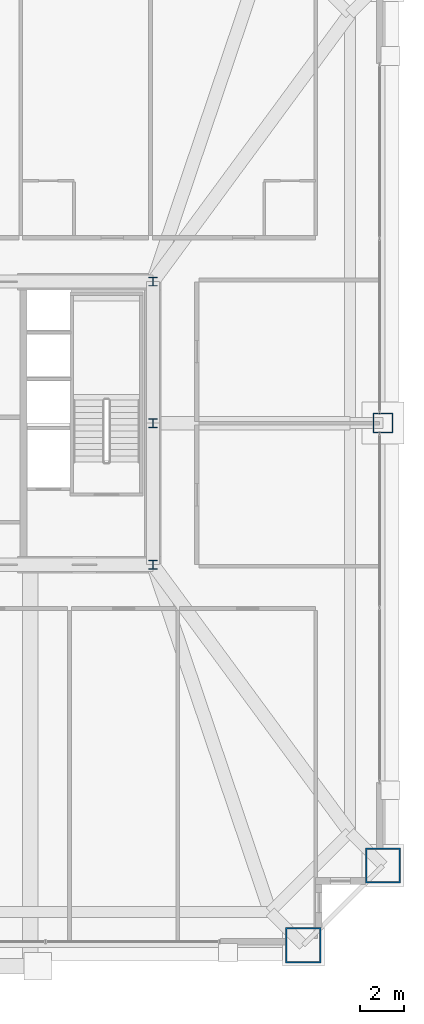
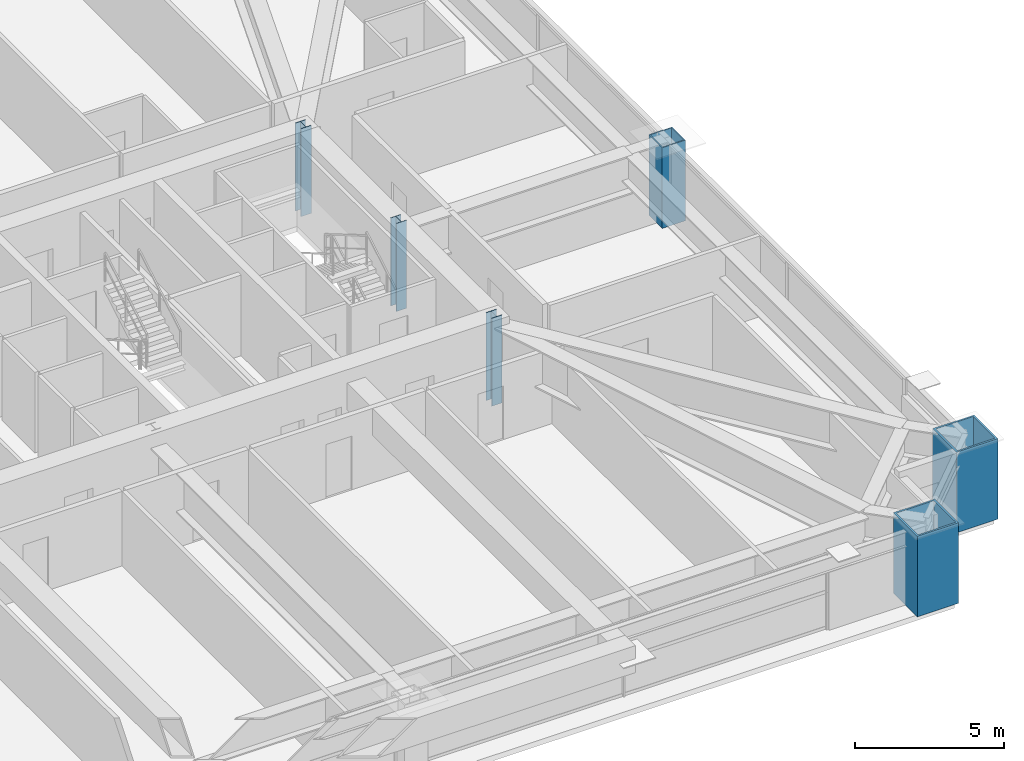
# One storey, part 2 of 45: 6 columns.
"""IFC4 building model written with IfcOpenShell, lengths in metres."""

from ifc_helpers import new_model, si_unit, direction, frame, origin, origin_2d, place, context, subcontext, project, spatial, hollow_rectangle, i_section, extrude, source, transform, mapped, material, material_profile, profile_set, type_object, element, save


model = new_model("IFC4")

# Units and contexts
model_context = context("Model", 3, precision=1e-05, world=origin(), true_north=direction((0.0, 1.0)))
body_context = subcontext(model_context, "Body", "Model", "MODEL_VIEW")
ifc_project = project(units=[si_unit("LENGTHUNIT", "METRE"), si_unit("AREAUNIT", "SQUARE_METRE"), si_unit("VOLUMEUNIT", "CUBIC_METRE"), si_unit("PLANEANGLEUNIT", "RADIAN"), si_unit("MASSUNIT", "GRAM", prefix="KILO"), si_unit("THERMODYNAMICTEMPERATUREUNIT", "KELVIN"), si_unit("POWERUNIT", "WATT")], contexts=[model_context])

# Site, building, storey
site_placement = place(None, origin())
site = spatial("IfcSite", under=ifc_project, at=site_placement, CompositionType="ELEMENT")
building_placement = place(site_placement, origin())
building = spatial("IfcBuilding", under=site, at=building_placement, Name="Yuzanri Waterfront Tower", CompositionType="ELEMENT")
storey_placement = place(building_placement, frame((0.0, 0.0, 163.199951171875)))
storey = spatial("IfcBuildingStorey", under=building, at=storey_placement, Name="L43", CompositionType="ELEMENT", Elevation=163.199951171875)

# Columns
ifc_material_1 = material(Name="Steel Q355B", Category="steel")
ifc_material_profile_1 = material_profile(ifc_material_1, i_section(OverallWidth=0.39990234375, OverallDepth=0.39990234375, WebThickness=0.012939453125, FlangeThickness=0.02099609375, at=origin_2d()), Name="HW 400x400x13x21")
ifc_profile_set_1 = profile_set([ifc_material_profile_1], Name="Steel Q355B")
column_type_1 = type_object("IfcColumnType", Name="Core Post Q355B HW 400x400x13x21", PredefinedType="COLUMN", material=ifc_profile_set_1)
shared_shape_1 = source(origin(), body_context, "Body", "SweptSolid", [
    extrude(i_section(OverallWidth=0.39990234375, OverallDepth=0.39990234375, WebThickness=0.012939453125, FlangeThickness=0.02099609375, at=origin_2d()), origin(), (0.0, 0.0, 1.0), 3.60009765625),
])
for number, where, z_axis, x_axis, name in (
    (1, (50.199951171875, 19.39990234375, 0.0), (0.0, 0.0, 1.0), (1.0, 0.0, 0.0), "L43 Core Boundary Column CP3"),
    (2, (50.199951171875, 25.800048828125, 0.0), (0.0, 0.0, 1.0), (1.0, 0.0, 0.0), "L43 Core Boundary Column CP5"),
    (3, (50.199951171875, 32.199951171875, 0.0), (0.0, 0.0, 1.0), (1.0, 0.0, 0.0), "L43 Core Boundary Column CP8"),
):
    element("IfcColumn", number, at=place(storey_placement, frame(where, z_axis=z_axis, x_axis=x_axis)), inside=storey, type_object=column_type_1, Name=name, PredefinedType="COLUMN", context=body_context, shape_type="MappedRepresentation", body=[
        mapped(shared_shape_1, transform((0.0, 0.0, 0.0), scale=1.0)),
    ])
ifc_material_2 = material(Name="Steel Q420GJC", Category="steel")
ifc_material_profile_2 = material_profile(ifc_material_2, hollow_rectangle(XDim=1.60009765625, YDim=1.60009765625, WallThickness=0.070068359375, at=origin_2d()), Name="RHS 1600x1600x70")
ifc_profile_set_2 = profile_set([ifc_material_profile_2], Name="Steel Q420GJC")
column_type_2 = type_object("IfcColumnType", Name="Mega Column Q420GJC RHS 1600x1600x70", PredefinedType="COLUMN", material=ifc_profile_set_2)
shared_shape_2 = source(origin(), body_context, "Body", "SweptSolid", [
    extrude(hollow_rectangle(XDim=1.60009765625, YDim=1.60009765625, WallThickness=0.070068359375, at=origin_2d()), origin(), (0.0, 0.0, 1.0), 3.300048828125),
])
for number, where, z_axis, x_axis, name in (
    (4, (57.0, 2.199951171875, 0.0), (0.0, 0.0, 1.0), (1.0, 0.0, 0.0), "L43 Perimeter Mega Column S3"),
    (5, (60.60009765625, 5.800048828125, 0.0), (0.0, 0.0, 1.0), (1.0, 0.0, 0.0), "L43 Perimeter Mega Column E1"),
):
    element("IfcColumn", number, at=place(storey_placement, frame(where, z_axis=z_axis, x_axis=x_axis)), inside=storey, type_object=column_type_2, Name=name, PredefinedType="COLUMN", context=body_context, shape_type="MappedRepresentation", body=[
        mapped(shared_shape_2, transform((0.0, 0.0, 0.0), scale=1.0)),
    ])
ifc_material_3 = material(Name="Steel Q390GJC", Category="steel")
ifc_material_profile_3 = material_profile(ifc_material_3, hollow_rectangle(XDim=0.89990234375, YDim=0.89990234375, WallThickness=0.0419921875, at=origin_2d()), Name="RHS 900x900x42")
ifc_profile_set_3 = profile_set([ifc_material_profile_3], Name="Steel Q390GJC")
column_type_3 = type_object("IfcColumnType", Name="Frame Column Q390GJC RHS 900x900x42", PredefinedType="COLUMN", material=ifc_profile_set_3)
shared_shape_3 = source(origin(), body_context, "Body", "SweptSolid", [
    extrude(hollow_rectangle(XDim=0.89990234375, YDim=0.89990234375, WallThickness=0.0419921875, at=origin_2d()), origin(), (0.0, 0.0, 1.0), 3.300048828125),
])
column_placement = place(storey_placement, frame((60.60009765625, 25.800048828125, 0.0), z_axis=(0.0, 0.0, 1.0), x_axis=(1.0, 0.0, 0.0)))
element("IfcColumn", 6, at=column_placement, inside=storey, type_object=column_type_3, Name="L43 Perimeter Frame Column E2", PredefinedType="COLUMN", context=body_context, shape_type="MappedRepresentation", body=[
    mapped(shared_shape_3, transform((0.0, 0.0, 0.0), scale=1.0)),
])

save(model, "model.ifc")
